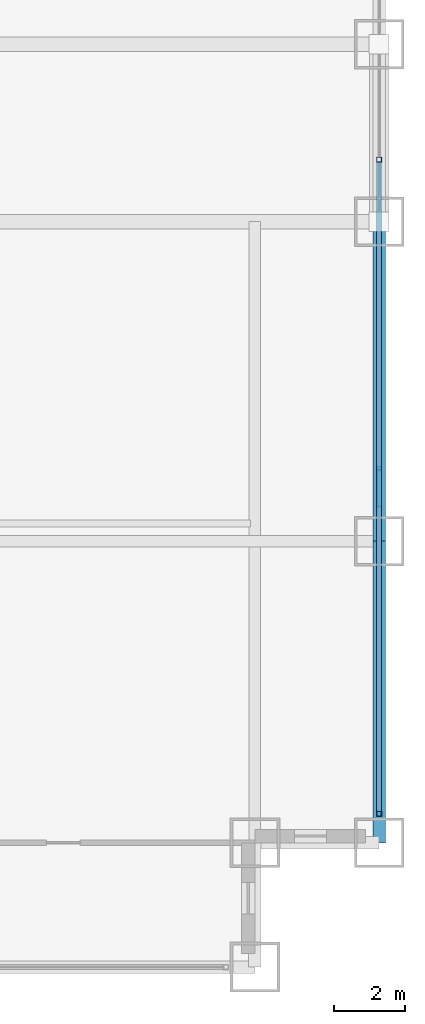
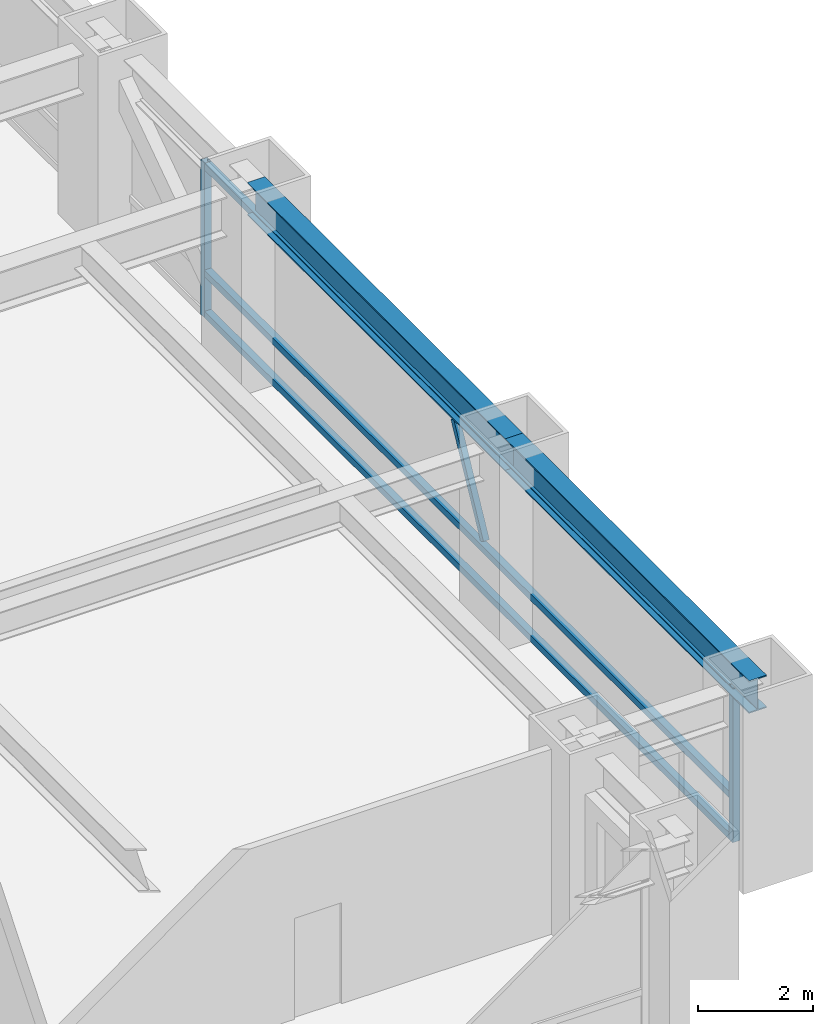
# One storey, part 16 of 28: 6 members, 2 beams, 1 element without a shape of its own.
"""IFC4 building model written with IfcOpenShell, lengths in metres."""

from ifc_helpers import new_model, si_unit, direction, frame, origin, origin_2d, place, context, subcontext, project, spatial, hollow_rectangle, i_section, extrude, source, transform, mapped, material, material_profile, profile_set, type_object, element, aggregate, save


model = new_model("IFC4")

# Units and contexts
model_context = context("Model", 3, precision=1e-05, world=origin(), true_north=direction((0.0, 1.0)))
body_context = subcontext(model_context, "Body", "Model", "MODEL_VIEW")
ifc_project = project(units=[si_unit("LENGTHUNIT", "METRE"), si_unit("AREAUNIT", "SQUARE_METRE"), si_unit("VOLUMEUNIT", "CUBIC_METRE"), si_unit("PLANEANGLEUNIT", "RADIAN"), si_unit("MASSUNIT", "GRAM", prefix="KILO")], contexts=[model_context])

# Site, building, storey
site_placement = place(None, origin())
site = spatial("IfcSite", under=ifc_project, at=site_placement, CompositionType="ELEMENT")
building_placement = place(site_placement, origin())
building = spatial("IfcBuilding", under=site, at=building_placement, Name="Khorayat Bourse Tower", CompositionType="ELEMENT")
storey_placement = place(building_placement, frame((0.0, 0.0, 57.800048828125)))
storey = spatial("IfcBuildingStorey", under=building, at=storey_placement, Name="L12", CompositionType="ELEMENT", Elevation=57.800048828125)

# Beams
ifc_material_1 = material(Name="Steel ASTM A992 Grade 50", Category="steel")
ifc_material_profile_1 = material_profile(ifc_material_1, i_section(OverallWidth=0.35498046875, OverallDepth=0.695068359375, WebThickness=0.015380859375, FlangeThickness=0.02490234375, FilletRadius=0.01806640625, at=origin_2d()), Name="W690X217")
ifc_profile_set_1 = profile_set([ifc_material_profile_1], Name="Steel ASTM A992 Grade 50")
beam_type = type_object("IfcBeamType", Name="BM-SPAN-690", PredefinedType="SPANDREL", material=ifc_profile_set_1)
shared_shape_1 = source(origin(), body_context, "Body", "SweptSolid", [
    extrude(i_section(OverallWidth=0.35498046875, OverallDepth=0.695068359375, WebThickness=0.015380859375, FlangeThickness=0.02490234375, FilletRadius=0.01806640625, at=origin_2d()), origin(), (0.0, 0.0, 1.0), 8.5),
])
beam_1_placement = place(storey_placement, frame((32.0, -28.5, 3.592529296875), z_axis=(0.0, 1.0, 0.0), x_axis=(-1.0, 0.0, 0.0)))
element("IfcBeam", 1, at=beam_1_placement, inside=storey, type_object=beam_type, Name="L12 BM-SPAN-690 BM-L12-SPN-034", PredefinedType="SPANDREL", context=body_context, shape_type="MappedRepresentation", body=[
    mapped(shared_shape_1, transform((0.0, 0.0, 0.0), scale=1.0)),
])
shared_shape_2 = source(origin(), body_context, "Body", "SweptSolid", [
    extrude(i_section(OverallWidth=0.35498046875, OverallDepth=0.695068359375, WebThickness=0.015380859375, FlangeThickness=0.02490234375, FilletRadius=0.01806640625, at=origin_2d()), origin(), (0.0, 0.0, 1.0), 9.0),
])
beam_2_placement = place(storey_placement, frame((32.0, -20.0, 3.592529296875), z_axis=(0.0, 1.0, 0.0), x_axis=(-1.0, 0.0, 0.0)))
element("IfcBeam", 2, at=beam_2_placement, inside=storey, type_object=beam_type, Name="L12 BM-SPAN-690 BM-L12-SPN-035", PredefinedType="SPANDREL", context=body_context, shape_type="MappedRepresentation", body=[
    mapped(shared_shape_2, transform((0.0, 0.0, 0.0), scale=1.0)),
])

# Curtain wall, members
ifc_material_2 = material(Name="Aluminium EN AW-6063 T6", Category="aluminium")
curtain_wall_type = type_object("IfcCurtainWallType", Name="CW-SYS-02", PredefinedType="NOTDEFINED", material=ifc_material_2)
curtain_wall_placement = place(storey_placement, origin())
curtain_wall = element("IfcCurtainWall", 3, at=curtain_wall_placement, inside=storey, type_object=curtain_wall_type, Name="L12 Curtain Wall CW-L12-E1", PredefinedType="NOTDEFINED")
ifc_material_profile_2 = material_profile(ifc_material_2, hollow_rectangle(XDim=0.139892578125, YDim=0.139892578125, WallThickness=0.006103515625, at=origin_2d()), Name="ALU 140x140x6")
ifc_profile_set_2 = profile_set([ifc_material_profile_2], Name="Aluminium EN AW-6063 T6")
member_type_1 = type_object("IfcMemberType", Name="CWT-HORZ-140", PredefinedType="USERDEFINED", material=ifc_profile_set_2)
shared_shape_3 = source(origin(), body_context, "Body", "SweptSolid", [
    extrude(hollow_rectangle(XDim=0.139892578125, YDim=0.139892578125, WallThickness=0.006103515625, at=origin_2d()), origin(), (0.0, 0.0, 1.0), 18.2900390625),
])
member_1_placement = place(storey_placement, frame((32.0, -27.610107421875, 0.070068359375), z_axis=(0.0, 1.0, 0.0), x_axis=(-1.0, 0.0, 0.0)))
member_1 = element("IfcMember", 4, at=member_1_placement, type_object=member_type_1, Name="CW-L12-E1 Horizontal Transom 1-1", ObjectType="TRANSOM", PredefinedType="USERDEFINED", context=body_context, shape_type="MappedRepresentation", body=[
    mapped(shared_shape_3, transform((0.0, 0.0, 0.0), scale=1.0)),
])
member_2_placement = place(storey_placement, frame((32.0, -27.610107421875, 0.949951171875), z_axis=(0.0, 1.0, 0.0), x_axis=(-1.0, 0.0, 0.0)))
member_2 = element("IfcMember", 5, at=member_2_placement, type_object=member_type_1, Name="CW-L12-E1 Horizontal Transom 1-2", ObjectType="TRANSOM", PredefinedType="USERDEFINED", context=body_context, shape_type="MappedRepresentation", body=[
    mapped(shared_shape_3, transform((0.0, 0.0, 0.0), scale=1.0)),
])
member_3_placement = place(storey_placement, frame((32.0, -27.610107421875, 3.219970703125), z_axis=(0.0, 1.0, 0.0), x_axis=(-1.0, 0.0, 0.0)))
member_3 = element("IfcMember", 6, at=member_3_placement, type_object=member_type_1, Name="CW-L12-E1 Horizontal Transom 1-3", ObjectType="TRANSOM", PredefinedType="USERDEFINED", context=body_context, shape_type="MappedRepresentation", body=[
    mapped(shared_shape_3, transform((0.0, 0.0, 0.0), scale=1.0)),
])
ifc_material_profile_3 = material_profile(ifc_material_2, hollow_rectangle(XDim=0.139892578125, YDim=0.139892578125, WallThickness=0.006103515625, at=origin_2d()), Name="ALU 140x140x6")
ifc_profile_set_3 = profile_set([ifc_material_profile_3], Name="Aluminium EN AW-6063 T6")
member_type_2 = type_object("IfcMemberType", Name="CWM-VERT-140", PredefinedType="MULLION", material=ifc_profile_set_3)
shared_shape_4 = source(origin(), body_context, "Body", "SweptSolid", [
    extrude(hollow_rectangle(XDim=0.139892578125, YDim=0.139892578125, WallThickness=0.006103515625, at=origin_2d()), origin(), (0.0, 0.0, 1.0), 3.2900390625),
])
member_4_placement = place(storey_placement, frame((32.0, -27.679931640625, 0.0), z_axis=(0.0, 0.0, 1.0), x_axis=(-1.0, 0.0, 0.0)))
member_4 = element("IfcMember", 7, at=member_4_placement, type_object=member_type_2, Name="CW-L12-E1 Vertical Mullion 1", PredefinedType="MULLION", context=body_context, shape_type="MappedRepresentation", body=[
    mapped(shared_shape_4, transform((0.0, 0.0, 0.0), scale=1.0)),
])
member_5_placement = place(storey_placement, frame((32.0, -9.25, 0.0), z_axis=(0.0, 0.0, 1.0), x_axis=(-1.0, 0.0, 0.0)))
member_5 = element("IfcMember", 8, at=member_5_placement, type_object=member_type_2, Name="CW-L12-E1 Vertical Mullion 2", PredefinedType="MULLION", context=body_context, shape_type="MappedRepresentation", body=[
    mapped(shared_shape_4, transform((0.0, 0.0, 0.0), scale=1.0)),
])
ifc_material_profile_4 = material_profile(ifc_material_2, hollow_rectangle(XDim=0.1201171875, YDim=0.1201171875, WallThickness=0.0048828125, at=origin_2d()), Name="ALU 120x120x5")
ifc_profile_set_4 = profile_set([ifc_material_profile_4], Name="Aluminium EN AW-6063 T6")
member_type_3 = type_object("IfcMemberType", Name="CWM-DIAG-120", PredefinedType="MULLION", material=ifc_profile_set_4)
shared_shape_5 = source(origin(), body_context, "Body", "SweptSolid", [
    extrude(hollow_rectangle(XDim=0.1201171875, YDim=0.1201171875, WallThickness=0.0048828125, at=origin_2d()), origin(), (0.0, 0.0, 1.0), 2.226318359375),
])
member_6_placement = place(storey_placement, frame((32.0, -18.9833984375, 1.099853515625), z_axis=(0.0, 0.465714796031, 0.884934872608), x_axis=(-1.0, 0.0, 0.0)))
member_6 = element("IfcMember", 9, at=member_6_placement, type_object=member_type_3, Name="CW-L12-E1 Faceted Diagonal Mullion 1", PredefinedType="MULLION", context=body_context, shape_type="MappedRepresentation", body=[
    mapped(shared_shape_5, transform((0.0, 0.0, 0.0), scale=1.0)),
])
aggregate(curtain_wall, [member_4, member_5, member_1, member_2, member_3, member_6])

save(model, "model.ifc")
